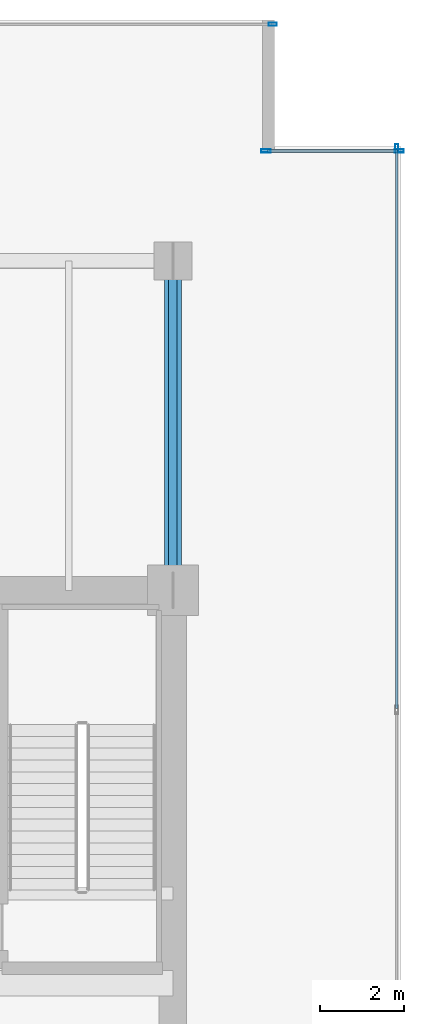
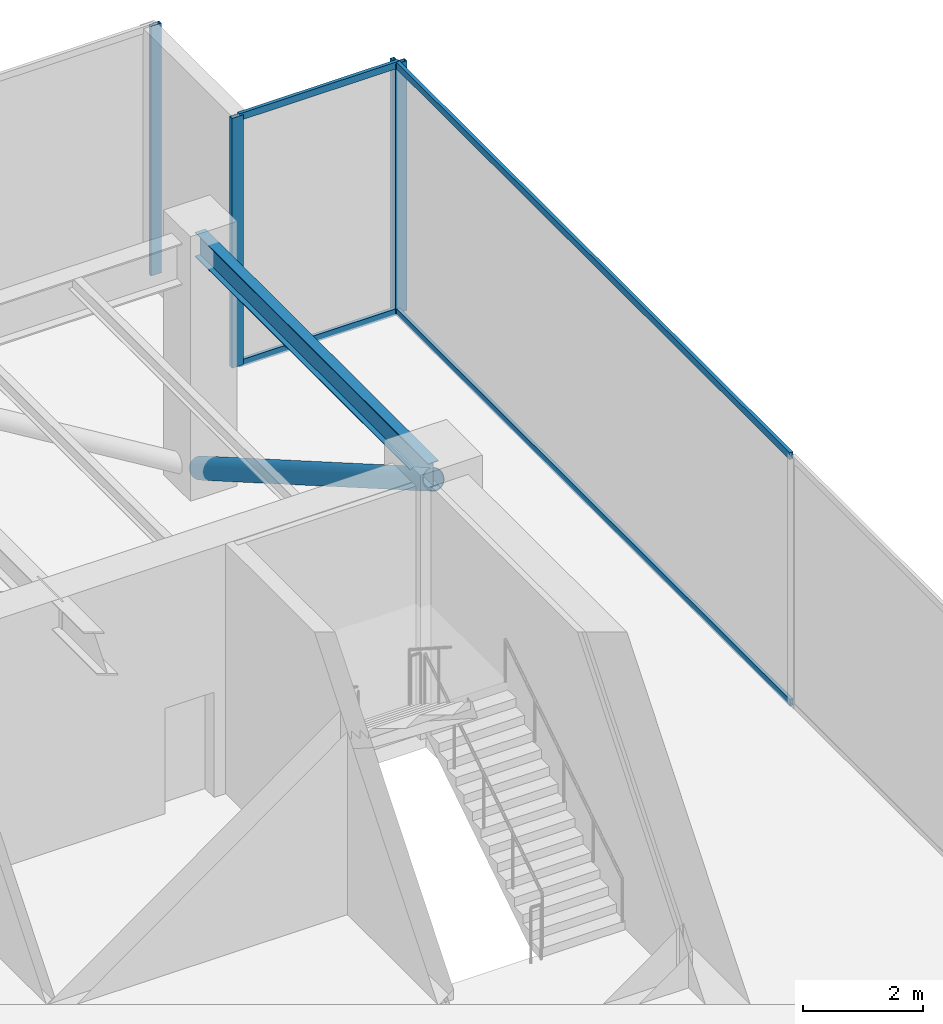
# One storey, part 23 of 34: 9 members, 1 beam, 3 elements without a shape of their own.
"""IFC4 building model written with IfcOpenShell, lengths in metres."""

from ifc_helpers import new_model, si_unit, direction, frame, origin, origin_2d, place, context, subcontext, project, spatial, hollow_rectangle, hollow_circle, i_section, extrude, source, transform, mapped, material, layer, layer_set, material_profile, profile_set, type_object, type_shapes, element, aggregate, save


model = new_model("IFC4")

# Units and contexts
model_context = context("Model", 3, precision=1e-05, world=origin(), true_north=direction((0.0, 1.0)))
body_context = subcontext(model_context, "Body", "Model", "MODEL_VIEW")
ifc_project = project(units=[si_unit("LENGTHUNIT", "METRE"), si_unit("AREAUNIT", "SQUARE_METRE"), si_unit("VOLUMEUNIT", "CUBIC_METRE"), si_unit("PLANEANGLEUNIT", "RADIAN"), si_unit("MASSUNIT", "GRAM", prefix="KILO")], contexts=[model_context])

# Site, building, storey
site_placement = place(None, origin())
site = spatial("IfcSite", under=ifc_project, at=site_placement, CompositionType="ELEMENT")
building_placement = place(site_placement, origin())
building = spatial("IfcBuilding", under=site, at=building_placement, Name="Haelvirn Gate Laboratories", CompositionType="ELEMENT")
storey_placement = place(building_placement, frame((0.0, 0.0, 191.199951171875)))
storey = spatial("IfcBuildingStorey", under=building, at=storey_placement, Name="L46", CompositionType="ELEMENT", Elevation=191.199951171875)

# Beam
ifc_material_1 = material(Name="Steel SM355", Category="steel")
ifc_material_profile_1 = material_profile(ifc_material_1, i_section(OverallWidth=0.199951171875, OverallDepth=0.5, WebThickness=0.010009765625, FlangeThickness=0.01611328125, at=origin_2d()), Name="H-500x200x10x16")
ifc_profile_set_1 = profile_set([ifc_material_profile_1], Name="Steel SM355")
beam_type = type_object("IfcBeamType", Name="BM-SP-500", PredefinedType="SPANDREL", material=ifc_profile_set_1)
shared_shape_1 = source(origin(), body_context, "Body", "SweptSolid", [
    extrude(i_section(OverallWidth=0.199951171875, OverallDepth=0.5, WebThickness=0.010009765625, FlangeThickness=0.01611328125, at=origin_2d()), origin(), (0.0, 0.0, 1.0), 7.800048828125),
])
type_shapes(beam_type, [shared_shape_1])
beam_placement = place(storey_placement, frame((67.39990234375, 33.800048828125, 4.85009765625), z_axis=(0.0, 1.0, 0.0), x_axis=(-1.0, 0.0, 0.0)))
element("IfcBeam", 1, at=beam_placement, inside=storey, type_object=beam_type, Name="L46 Perimeter Spandrel X67.4 (33.8-41.6)", PredefinedType="SPANDREL", context=body_context, shape_type="MappedRepresentation", body=[
    mapped(shared_shape_1, transform((0.0, 0.0, 0.0), scale=1.0)),
])

# Member
ifc_material_2 = material(Name="Steel SM420", Category="steel")
ifc_material_profile_2 = material_profile(ifc_material_2, hollow_circle(Radius=0.203125, WallThickness=0.01611328125, at=origin_2d()), Name="CHS-406x16")
ifc_profile_set_2 = profile_set([ifc_material_profile_2], Name="Steel SM420")
member_type_1 = type_object("IfcMemberType", Name="MEM-OUTRIG-2", PredefinedType="BRACE", material=ifc_profile_set_2)
shared_shape_2 = source(origin(), body_context, "Body", "SweptSolid", [
    extrude(hollow_circle(Radius=0.203125, WallThickness=0.01611328125, at=origin_2d()), origin(), (0.0, 0.0, 1.0), 9.005126953125),
])
type_shapes(member_type_1, [shared_shape_2])
member_1_placement = place(storey_placement, frame((67.39990234375, 33.800048828125, 4.75), z_axis=(0.0, 0.866186940118, -0.499720106428), x_axis=(-1.0, 0.0, 0.0)))
element("IfcMember", 2, at=member_1_placement, inside=storey, type_object=member_type_1, Name="L46 Outrigger Truss Arm EN2", PredefinedType="BRACE", context=body_context, shape_type="MappedRepresentation", body=[
    mapped(shared_shape_2, transform((0.0, 0.0, 0.0), scale=1.0)),
])

# Curtain wall, members
ifc_material_3 = material(Name="Anodised bronze unitised aluminium & triple low-E glass", Category="aluminium")
ifc_layer_1 = layer(ifc_material_3, 0.181884765625, Name="CW-SYS-5")
ifc_layer_set_1 = layer_set([ifc_layer_1], Name="Anodised bronze unitised aluminium & triple low-E glass")
curtain_wall_type_1 = type_object("IfcCurtainWallType", Name="CW-SYS-5", PredefinedType="NOTDEFINED", material=ifc_layer_set_1)
curtain_wall_1_placement = place(storey_placement, origin())
curtain_wall_1 = element("IfcCurtainWall", 3, at=curtain_wall_1_placement, inside=storey, type_object=curtain_wall_type_1, Name="L46 Unitised Curtain Wall CW-L46-P0-E08-1", PredefinedType="NOTDEFINED")
ifc_material_4 = material(Name="Extruded aluminium 6063-T6 (anodised bronze)", Category="aluminium")
ifc_material_profile_3 = material_profile(ifc_material_4, hollow_rectangle(XDim=0.06494140625, YDim=0.139892578125, WallThickness=0.00390625, at=origin_2d()), Name="CWT-140x65x4")
ifc_profile_set_3 = profile_set([ifc_material_profile_3], Name="Extruded aluminium 6063-T6 (anodised bronze)")
member_type_2 = type_object("IfcMemberType", Name="CWT-T140", PredefinedType="USERDEFINED", material=ifc_profile_set_3)
shared_shape_3 = source(origin(), body_context, "Body", "SweptSolid", [
    extrude(hollow_rectangle(XDim=0.06494140625, YDim=0.139892578125, WallThickness=0.00390625, at=origin_2d()), origin(), (0.0, 0.0, 1.0), 3.080078125),
])
member_2_placement = place(storey_placement, frame((69.639892578125, 44.199951171875, 0.032470703125), z_axis=(1.0, 0.0, 0.0), x_axis=(0.0, 1.0, 0.0)))
member_2 = element("IfcMember", 4, at=member_2_placement, type_object=member_type_2, Name="CW5 transom 1.1", ObjectType="TRANSOM", PredefinedType="USERDEFINED", context=body_context, shape_type="MappedRepresentation", body=[
    mapped(shared_shape_3, transform((0.0, 0.0, 0.0), scale=1.0)),
])
member_3_placement = place(storey_placement, frame((69.639892578125, 44.199951171875, 5.067626953125), z_axis=(1.0, 0.0, 0.0), x_axis=(0.0, 1.0, 0.0)))
member_3 = element("IfcMember", 5, at=member_3_placement, type_object=member_type_2, Name="CW5 transom 1.2", ObjectType="TRANSOM", PredefinedType="USERDEFINED", context=body_context, shape_type="MappedRepresentation", body=[
    mapped(shared_shape_3, transform((0.0, 0.0, 0.0), scale=1.0)),
])

ifc_layer_2 = layer(ifc_material_3, 0.179931640625, Name="CW-SYS-3")
ifc_layer_set_2 = layer_set([ifc_layer_2], Name="Anodised bronze unitised aluminium & triple low-E glass")
curtain_wall_type_2 = type_object("IfcCurtainWallType", Name="CW-SYS-3", PredefinedType="NOTDEFINED", material=ifc_layer_set_2)
curtain_wall_2_placement = place(storey_placement, origin())
curtain_wall_2 = element("IfcCurtainWall", 6, at=curtain_wall_2_placement, inside=storey, type_object=curtain_wall_type_2, Name="L46 Unitised Curtain Wall CW-L46-P0-E07", PredefinedType="NOTDEFINED")
shared_shape_4 = source(origin(), body_context, "Body", "SweptSolid", [
    extrude(hollow_rectangle(XDim=0.06494140625, YDim=0.139892578125, WallThickness=0.00390625, at=origin_2d()), origin(), (0.0, 0.0, 1.0), 13.220947265625),
])
type_shapes(member_type_2, [shared_shape_3, shared_shape_4])
member_4_placement = place(storey_placement, frame((72.699951171875, 31.004150390625, 0.032470703125), z_axis=(0.0, 1.0, 0.0), x_axis=(-1.0, 0.0, 0.0)))
member_4 = element("IfcMember", 7, at=member_4_placement, type_object=member_type_2, Name="CW3 transom 3.1", ObjectType="TRANSOM", PredefinedType="USERDEFINED", context=body_context, shape_type="MappedRepresentation", body=[
    mapped(shared_shape_4, transform((0.0, 0.0, 0.0), scale=1.0)),
])
member_5_placement = place(storey_placement, frame((72.699951171875, 31.004150390625, 5.067626953125), z_axis=(0.0, 1.0, 0.0), x_axis=(-1.0, 0.0, 0.0)))
member_5 = element("IfcMember", 8, at=member_5_placement, type_object=member_type_2, Name="CW3 transom 3.2", ObjectType="TRANSOM", PredefinedType="USERDEFINED", context=body_context, shape_type="MappedRepresentation", body=[
    mapped(shared_shape_4, transform((0.0, 0.0, 0.0), scale=1.0)),
])
ifc_material_profile_4 = material_profile(ifc_material_4, hollow_rectangle(XDim=0.074951171875, YDim=0.199951171875, WallThickness=0.0048828125, at=origin_2d()), Name="CWM-200x75x5")
ifc_profile_set_4 = profile_set([ifc_material_profile_4], Name="Extruded aluminium 6063-T6 (anodised bronze)")
member_type_3 = type_object("IfcMemberType", Name="CWM-T200", PredefinedType="MULLION", material=ifc_profile_set_4)
shared_shape_5 = source(origin(), body_context, "Body", "SweptSolid", [
    extrude(hollow_rectangle(XDim=0.074951171875, YDim=0.199951171875, WallThickness=0.0048828125, at=origin_2d()), origin(), (0.0, 0.0, 1.0), 5.10009765625),
])
type_shapes(member_type_3, [shared_shape_5])
member_6_placement = place(storey_placement, frame((72.699951171875, 44.262451171875, 0.0), z_axis=(0.0, 0.0, 1.0), x_axis=(-1.0, 0.0, 0.0)))
member_6 = element("IfcMember", 9, at=member_6_placement, type_object=member_type_3, Name="CW3 mullion 4", PredefinedType="MULLION", context=body_context, shape_type="MappedRepresentation", body=[
    mapped(shared_shape_5, transform((0.0, 0.0, 0.0), scale=1.0)),
])
aggregate(curtain_wall_2, [member_6, member_4, member_5])

# Curtain wall, member
curtain_wall_3_placement = place(storey_placement, origin())
curtain_wall_3 = element("IfcCurtainWall", 10, at=curtain_wall_3_placement, inside=storey, type_object=curtain_wall_type_2, Name="L46 Unitised Curtain Wall CW-L46-P0-E10-1", PredefinedType="NOTDEFINED")
member_7_placement = place(storey_placement, frame((69.762451171875, 47.199951171875, 0.0), z_axis=(0.0, 0.0, 1.0), x_axis=(0.0, 1.0, 0.0)))
member_7 = element("IfcMember", 11, at=member_7_placement, type_object=member_type_3, Name="CW3 mullion 3", PredefinedType="MULLION", context=body_context, shape_type="MappedRepresentation", body=[
    mapped(shared_shape_5, transform((0.0, 0.0, 0.0), scale=1.0)),
])
aggregate(curtain_wall_3, [member_7])

# Member
ifc_material_profile_5 = material_profile(ifc_material_4, hollow_rectangle(XDim=0.080078125, YDim=0.219970703125, WallThickness=0.006103515625, at=origin_2d()), Name="CWM-220x80x6")
ifc_profile_set_5 = profile_set([ifc_material_profile_5], Name="Extruded aluminium 6063-T6 (anodised bronze)")
member_type_4 = type_object("IfcMemberType", Name="CWM-T220", PredefinedType="MULLION", material=ifc_profile_set_5)
shared_shape_6 = source(origin(), body_context, "Body", "SweptSolid", [
    extrude(hollow_rectangle(XDim=0.080078125, YDim=0.219970703125, WallThickness=0.006103515625, at=origin_2d()), origin(), (0.0, 0.0, 1.0), 5.10009765625),
])
type_shapes(member_type_4, [shared_shape_6])
member_8_placement = place(storey_placement, frame((69.60009765625, 44.199951171875, 0.0), z_axis=(0.0, 0.0, 1.0), x_axis=(0.0, 1.0, 0.0)))
member_8 = element("IfcMember", 12, at=member_8_placement, type_object=member_type_4, Name="CW5 mullion 1", PredefinedType="MULLION", context=body_context, shape_type="MappedRepresentation", body=[
    mapped(shared_shape_6, transform((0.0, 0.0, 0.0), scale=1.0)),
])

member_9_placement = place(storey_placement, frame((72.760009765625, 44.199951171875, 0.0), z_axis=(0.0, 0.0, 1.0), x_axis=(0.0, 1.0, 0.0)))
member_9 = element("IfcMember", 13, at=member_9_placement, type_object=member_type_4, Name="CW5 mullion 2", PredefinedType="MULLION", context=body_context, shape_type="MappedRepresentation", body=[
    mapped(shared_shape_6, transform((0.0, 0.0, 0.0), scale=1.0)),
])

aggregate(curtain_wall_1, [member_8, member_9, member_2, member_3])

save(model, "model.ifc")
